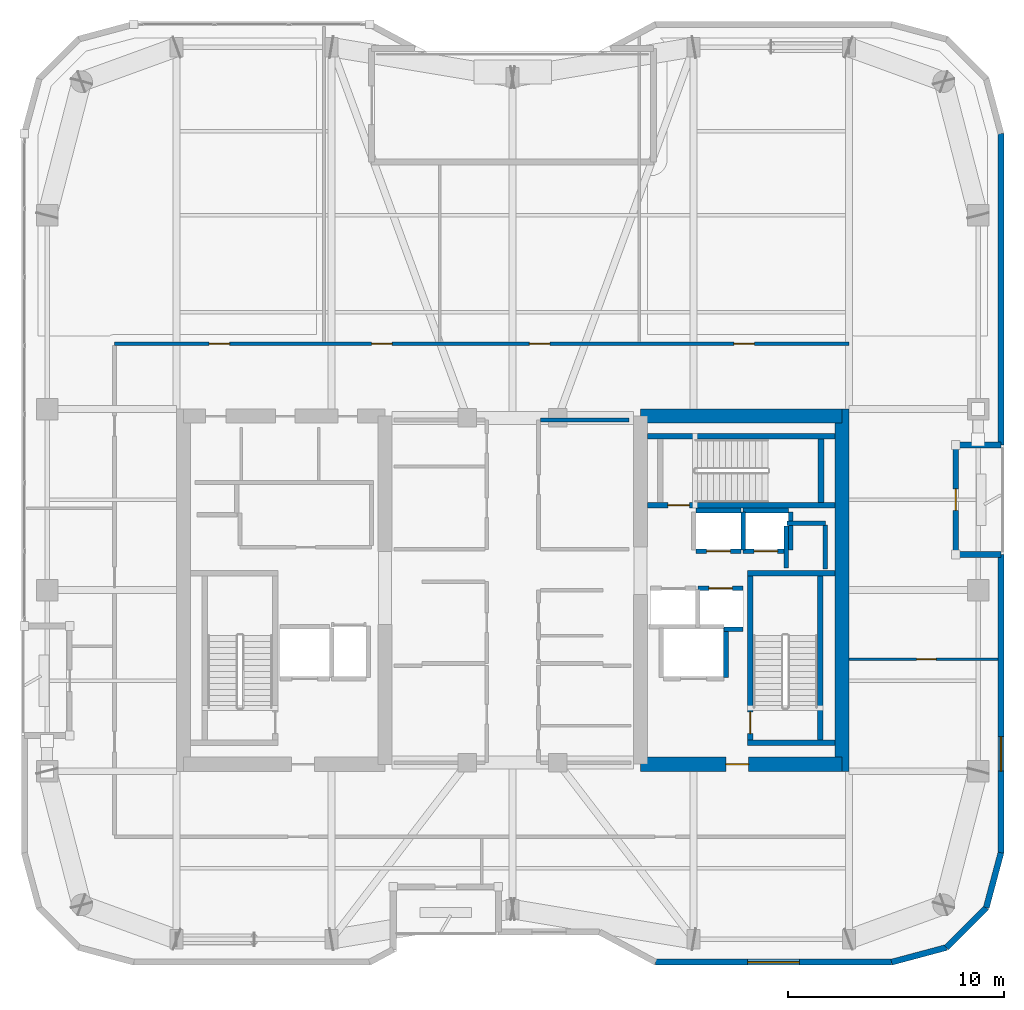
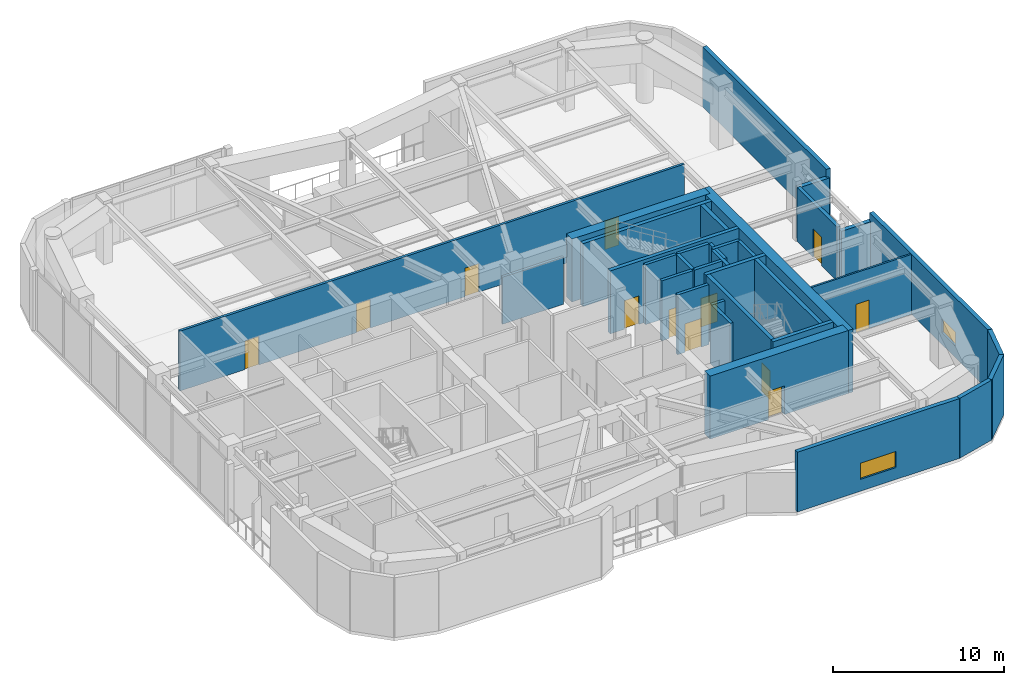
# One storey, part 15 of 19: 34 walls, 12 doors, 2 windows, 14 openings.
"""IFC4 building model written with IfcOpenShell, lengths in metres."""

from ifc_helpers import new_model, si_unit, direction, frame, frame_2d, origin, place, context, subcontext, project, spatial, rectangle, extrude, material, layer, layer_set, type_object, element, fill, save


model = new_model("IFC4")

# Units and contexts
model_context = context("Model", 3, precision=1e-05, world=origin(), true_north=direction((0.0, 1.0)))
body_context = subcontext(model_context, "Body", "Model", "MODEL_VIEW")
ifc_project = project(units=[si_unit("LENGTHUNIT", "METRE"), si_unit("AREAUNIT", "SQUARE_METRE"), si_unit("VOLUMEUNIT", "CUBIC_METRE"), si_unit("PLANEANGLEUNIT", "RADIAN"), si_unit("MASSUNIT", "GRAM", prefix="KILO")], contexts=[model_context])

# Site, building, storey
site_placement = place(None, origin())
site = spatial("IfcSite", under=ifc_project, at=site_placement, CompositionType="ELEMENT")
building_placement = place(site_placement, origin())
building = spatial("IfcBuilding", under=site, at=building_placement, Name="Kiyonajd Concourse Tower", CompositionType="ELEMENT")
storey_placement = place(building_placement, frame((0.0, 0.0, 238.800048828125)))
storey = spatial("IfcBuildingStorey", under=building, at=storey_placement, Name="L60", CompositionType="ELEMENT", Elevation=238.800048828125)

# Wall
ifc_material_1 = material(Name="Concrete C60/75", Category="concrete")
ifc_layer_1 = layer(ifc_material_1, 0.64990234375)
ifc_layer_set_1 = layer_set([ifc_layer_1], Name="Concrete C60/75")
wall_type_1 = type_object("IfcWallType", Name="WL-CORE-650", PredefinedType="SHEAR", material=ifc_layer_set_1)
wall_1_placement = place(storey_placement, frame((63.27490234375, 27.60009765625, 0.0), z_axis=(0.0, 0.0, 1.0), x_axis=(0.0, 1.0, 0.0)))
element("IfcWall", 1, at=wall_1_placement, inside=storey, type_object=wall_type_1, Name="L60 East Core Outer Shear Wall", PredefinedType="SHEAR", context=body_context, shape_type="SweptSolid", body=[
    extrude(rectangle(XDim=16.7998046875, YDim=0.64990234375, at=frame_2d((8.39990234375, 0.0))), origin(), (0.0, 0.0, 1.0), 4.5),
])

# Wall, opening, door
wall_2_placement = place(storey_placement, frame((53.925048828125, 27.925048828125, 0.0), z_axis=(0.0, 0.0, 1.0), x_axis=(1.0, 0.0, 0.0)))
wall_2 = element("IfcWall", 2, at=wall_2_placement, inside=storey, type_object=wall_type_1, Name="L60 East Core South Shear Wall", PredefinedType="SHEAR", context=body_context, shape_type="SweptSolid", body=[
    extrude(rectangle(XDim=9.349853515625, YDim=0.64990234375, at=frame_2d((4.6748046875, 0.0))), origin(), (0.0, 0.0, 1.0), 4.5),
])
opening_1_placement = place(wall_2_placement, frame((3.97509765625, 0.0, 0.0)))
opening_1 = element("IfcOpeningElement", 3, at=opening_1_placement, cuts=wall_2, Name="Opening DF5", PredefinedType="OPENING", context=body_context, shape_type="SweptSolid", body=[
    extrude(rectangle(XDim=1.050048828125, YDim=2.0400390625, at=frame_2d((0.52490234375, 1.02001953125))), frame((0.0, 0.3349609375, 0.0), z_axis=(0.0, -1.0, 0.0), x_axis=(1.0, 0.0, 0.0)), (0.0, 0.0, 1.0), 0.669921875),
])
ifc_material_2 = material(Name="Brushed Stainless Steel Cab Assembly", Category="steel")
door_type_1 = type_object("IfcDoorType", Name="DR-FD45-1050", OperationType="NOTDEFINED", PredefinedType="DOOR", material=ifc_material_2)
door_1_placement = place(opening_1_placement, origin())
door_1 = element("IfcDoor", 4, at=door_1_placement, inside=storey, type_object=door_type_1, Name="L60 Firefighting Lift Lobby E Smoke Door", OperationType="SINGLE_SWING_RIGHT", OverallHeight=2.0400390625, OverallWidth=1.050048828125, PredefinedType="DOOR", context=body_context, shape_type="SweptSolid", body=[
    extrude(rectangle(XDim=1.050048828125, YDim=2.0400390625, at=frame_2d((0.52490234375, 1.02001953125))), frame((0.0, 0.02490234375, 0.0), z_axis=(0.0, -1.0, 0.0), x_axis=(1.0, 0.0, 0.0)), (0.0, 0.0, 1.0), 0.050048828125),
])
fill(opening_1, door_1)

# Walls
wall_3_placement = place(storey_placement, frame((53.925048828125, 44.074951171875, 0.0), z_axis=(0.0, 0.0, 1.0), x_axis=(1.0, 0.0, 0.0)))
element("IfcWall", 5, at=wall_3_placement, inside=storey, type_object=wall_type_1, Name="L60 East Core North Shear Wall", PredefinedType="SHEAR", context=body_context, shape_type="SweptSolid", body=[
    extrude(rectangle(XDim=9.349853515625, YDim=0.64990234375, at=frame_2d((4.6748046875, 0.0))), origin(), (0.0, 0.0, 1.0), 4.5),
])
ifc_material_3 = material(Name="Precast concrete C50/60", Category="concrete")
ifc_layer_2 = layer(ifc_material_3, 0.280029296875)
ifc_layer_set_2 = layer_set([ifc_layer_2], Name="Precast concrete C50/60")
wall_type_2 = type_object("IfcWallType", Name="WL-EXT-280", PredefinedType="SOLIDWALL", material=ifc_layer_set_2)
wall_4_placement = place(storey_placement, frame((70.659912109375, 57.181640625, 0.0), z_axis=(0.0, 0.0, 1.0), x_axis=(0.0, -1.0, 0.0)))
element("IfcWall", 6, at=wall_4_placement, inside=storey, type_object=wall_type_2, Name="L60 Exterior Concrete Frame Wall 21", PredefinedType="SOLIDWALL", context=body_context, shape_type="SweptSolid", body=[
    extrude(rectangle(XDim=14.441650390625, YDim=0.280029296875, at=frame_2d((7.220703125, 0.0))), origin(), (0.0, 0.0, 1.0), 4.280029296875),
])
for number, where, z_axis, x_axis, name in (
    (7, (70.659912109375, 42.739990234375, 0.0), (0.0, 0.0, 1.0), (-1.0, 0.0, 0.0), "L60 Exterior Concrete Frame Wall 22"),
    (8, (68.56005859375, 37.659912109375, 0.0), (0.0, 0.0, 1.0), (1.0, 0.0, 0.0), "L60 Exterior Concrete Frame Wall 24"),
):
    element("IfcWall", number, at=place(storey_placement, frame(where, z_axis=z_axis, x_axis=x_axis)), inside=storey, type_object=wall_type_2, Name=name, PredefinedType="SOLIDWALL", context=body_context, shape_type="SweptSolid", body=[
        extrude(rectangle(XDim=2.099853515625, YDim=0.280029296875, at=frame_2d((1.0498046875, 0.0))), origin(), (0.0, 0.0, 1.0), 3.716064453125),
    ])

# Wall, opening, window
wall_5_placement = place(storey_placement, frame((70.659912109375, 37.659912109375, 0.0), z_axis=(0.0, 0.0, 1.0), x_axis=(0.0, -1.0, 0.0)))
wall_5 = element("IfcWall", 9, at=wall_5_placement, inside=storey, type_object=wall_type_2, Name="L60 Exterior Concrete Frame Wall 25", PredefinedType="SOLIDWALL", context=body_context, shape_type="SweptSolid", body=[
    extrude(rectangle(XDim=13.841552734375, YDim=0.280029296875, at=frame_2d((6.9208984375, 0.0))), origin(), (0.0, 0.0, 1.0), 4.280029296875),
])
opening_2_placement = place(wall_5_placement, frame((8.4560546875, 0.0, 0.85009765625)))
opening_2 = element("IfcOpeningElement", 10, at=opening_2_placement, cuts=wall_5, Name="Opening WN6", PredefinedType="OPENING", context=body_context, shape_type="SweptSolid", body=[
    extrude(rectangle(XDim=1.60009765625, YDim=1.0, at=frame_2d((0.800048828125, 0.5))), frame((0.0, 0.14990234375, 0.0), z_axis=(0.0, -1.0, 0.0), x_axis=(1.0, 0.0, 0.0)), (0.0, 0.0, 1.0), 0.300048828125),
])
ifc_material_4 = material(Name="Double Low-E Insulated Glass", Category="glass")
window_type_1 = type_object("IfcWindowType", Name="WN-VIS-1600x1000", PartitioningType="SINGLE_PANEL", PredefinedType="WINDOW", material=ifc_material_4)
window_1_placement = place(opening_2_placement, origin())
window_1 = element("IfcWindow", 11, at=window_1_placement, inside=storey, type_object=window_type_1, Name="L60 Modular Facade Vision Window 25", OverallHeight=1.0, OverallWidth=1.60009765625, PartitioningType="SINGLE_PANEL", PredefinedType="WINDOW", context=body_context, shape_type="SweptSolid", body=[
    extrude(rectangle(XDim=1.60009765625, YDim=1.0, at=frame_2d((0.800048828125, 0.5))), frame((0.0, 0.030029296875, 0.0), z_axis=(0.0, -1.0, 0.0), x_axis=(1.0, 0.0, 0.0)), (0.0, 0.0, 1.0), 0.06005859375),
])
fill(opening_2, window_1)

# Walls
wall_6_placement = place(storey_placement, frame((70.659912109375, 23.818359375, 0.0), z_axis=(0.0, 0.0, 1.0), x_axis=(-0.2588904131, -0.965906700466, 0.0)))
element("IfcWall", 12, at=wall_6_placement, inside=storey, type_object=wall_type_2, Name="L60 Exterior Concrete Frame Wall 26", PredefinedType="SOLIDWALL", context=body_context, shape_type="SweptSolid", body=[
    extrude(rectangle(XDim=2.6357421875, YDim=0.280029296875, at=frame_2d((1.31787109375, 0.0))), origin(), (0.0, 0.0, 1.0), 4.280029296875),
])
wall_7_placement = place(storey_placement, frame((69.9775390625, 21.2724609375, 0.0), z_axis=(0.0, 0.0, 1.0), x_axis=(-0.707153437963, -0.707060121331, 0.0)))
element("IfcWall", 13, at=wall_7_placement, inside=storey, type_object=wall_type_2, Name="L60 Exterior Concrete Frame Wall 27", PredefinedType="SOLIDWALL", context=body_context, shape_type="SweptSolid", body=[
    extrude(rectangle(XDim=2.6162109375, YDim=0.280029296875, at=frame_2d((1.30810546875, 0.0))), origin(), (0.0, 0.0, 1.0), 4.280029296875),
])
wall_8_placement = place(storey_placement, frame((68.12744140625, 19.422607421875, 0.0), z_axis=(0.0, 0.0, 1.0), x_axis=(-0.965883534663, -0.258976828051, 0.0)))
element("IfcWall", 14, at=wall_8_placement, inside=storey, type_object=wall_type_2, Name="L60 Exterior Concrete Frame Wall 28", PredefinedType="SOLIDWALL", context=body_context, shape_type="SweptSolid", body=[
    extrude(rectangle(XDim=2.6357421875, YDim=0.280029296875, at=frame_2d((1.31787109375, 0.0))), origin(), (0.0, 0.0, 1.0), 4.280029296875),
])

# Wall, opening, window
wall_9_placement = place(storey_placement, frame((65.58154296875, 18.739990234375, 0.0), z_axis=(0.0, 0.0, 1.0), x_axis=(-1.0, 0.0, 0.0)))
wall_9 = element("IfcWall", 15, at=wall_9_placement, inside=storey, type_object=wall_type_2, Name="L60 Exterior Concrete Frame Wall 29", PredefinedType="SOLIDWALL", context=body_context, shape_type="SweptSolid", body=[
    extrude(rectangle(XDim=10.9462890625, YDim=0.280029296875, at=frame_2d((5.47314453125, 0.0))), origin(), (0.0, 0.0, 1.0), 4.280029296875),
])
opening_3_placement = place(wall_9_placement, frame((4.27294921875, 0.0, 0.85009765625)))
opening_3 = element("IfcOpeningElement", 16, at=opening_3_placement, cuts=wall_9, Name="Opening WN4", PredefinedType="OPENING", context=body_context, shape_type="SweptSolid", body=[
    extrude(rectangle(XDim=2.39990234375, YDim=1.14990234375, at=frame_2d((1.199951171875, 0.574951171875))), frame((0.0, 0.14990234375, 0.0), z_axis=(0.0, -1.0, 0.0), x_axis=(1.0, 0.0, 0.0)), (0.0, 0.0, 1.0), 0.300048828125),
])
window_type_2 = type_object("IfcWindowType", Name="WN-VIS-2400x1150", PartitioningType="SINGLE_PANEL", PredefinedType="WINDOW", material=ifc_material_4)
window_2_placement = place(opening_3_placement, origin())
window_2 = element("IfcWindow", 17, at=window_2_placement, inside=storey, type_object=window_type_2, Name="L60 Modular Facade Vision Window 29", OverallHeight=1.14990234375, OverallWidth=2.39990234375, PartitioningType="SINGLE_PANEL", PredefinedType="WINDOW", context=body_context, shape_type="SweptSolid", body=[
    extrude(rectangle(XDim=2.39990234375, YDim=1.14990234375, at=frame_2d((1.199951171875, 0.574951171875))), frame((0.0, 0.030029296875, 0.0), z_axis=(0.0, -1.0, 0.0), x_axis=(1.0, 0.0, 0.0)), (0.0, 0.0, 1.0), 0.06005859375),
])
fill(opening_3, window_2)

# Wall, opening, door
ifc_layer_3 = layer(ifc_material_3, 0.239990234375)
ifc_layer_set_3 = layer_set([ifc_layer_3], Name="Precast concrete C50/60")
wall_type_3 = type_object("IfcWallType", Name="WL-LOG-240", PredefinedType="SOLIDWALL", material=ifc_layer_set_3)
wall_10_placement = place(storey_placement, frame((68.56005859375, 42.544921875, 0.0), z_axis=(0.0, 0.0, 1.0), x_axis=(0.0, -1.0, 0.0)))
wall_10 = element("IfcWall", 18, at=wall_10_placement, inside=storey, type_object=wall_type_3, Name="L60 Recessed Loggia Thermal Wall LOG-E", PredefinedType="SOLIDWALL", context=body_context, shape_type="SweptSolid", body=[
    extrude(rectangle(XDim=4.68994140625, YDim=0.239990234375, at=frame_2d((2.344970703125, 0.0))), origin(), (0.0, 0.0, 1.0), 3.847900390625),
])
opening_4_placement = place(wall_10_placement, frame((1.844970703125, 0.0, 0.0)))
opening_4 = element("IfcOpeningElement", 19, at=opening_4_placement, cuts=wall_10, Name="Opening DL1", PredefinedType="OPENING", context=body_context, shape_type="SweptSolid", body=[
    extrude(rectangle(XDim=1.0, YDim=2.02001953125, at=frame_2d((0.5, 1.010009765625))), frame((0.0, 0.1298828125, 0.0), z_axis=(0.0, -1.0, 0.0), x_axis=(1.0, 0.0, 0.0)), (0.0, 0.0, 1.0), 0.260009765625),
])
ifc_material_5 = material(Name="Thermally Broken Anodised Aluminium", Category="aluminium")
door_type_2 = type_object("IfcDoorType", Name="DR-LOG-1000", OperationType="NOTDEFINED", PredefinedType="DOOR", material=ifc_material_5)
door_2_placement = place(opening_4_placement, origin())
door_2 = element("IfcDoor", 20, at=door_2_placement, inside=storey, type_object=door_type_2, Name="L60 Engawa Loggia Access Door LOG-E", OperationType="SINGLE_SWING_RIGHT", OverallHeight=2.02001953125, OverallWidth=1.0, PredefinedType="DOOR", context=body_context, shape_type="SweptSolid", body=[
    extrude(rectangle(XDim=1.0, YDim=2.02001953125, at=frame_2d((0.5, 1.010009765625))), frame((0.0, 0.02490234375, 0.0), z_axis=(0.0, -1.0, 0.0), x_axis=(1.0, 0.0, 0.0)), (0.0, 0.0, 1.0), 0.050048828125),
])
fill(opening_4, door_2)

ifc_material_6 = material(Name="Gypsum Board on Cold-Formed Steel Stud", Category="steel")
ifc_layer_4 = layer(ifc_material_6, 0.125)
ifc_layer_set_4 = layer_set([ifc_layer_4], Name="Gypsum Board on Cold-Formed Steel Stud")
wall_type_4 = type_object("IfcWallType", Name="WL-PART-125", PredefinedType="PARTITIONING", material=ifc_layer_set_4)
wall_11_placement = place(storey_placement, frame((63.60009765625, 32.800048828125, 0.0), z_axis=(0.0, 0.0, 1.0), x_axis=(1.0, 0.0, 0.0)))
wall_11 = element("IfcWall", 21, at=wall_11_placement, inside=storey, type_object=wall_type_4, Name="L60 Interior Partition Wall", PredefinedType="PARTITIONING", context=body_context, shape_type="SweptSolid", body=[
    extrude(rectangle(XDim=6.9248046875, YDim=0.125, at=frame_2d((3.46240234375, 0.0))), origin(), (0.0, 0.0, 1.0), 4.280029296875),
])
opening_5_placement = place(wall_11_placement, frame((3.14990234375, 0.0, 0.0)))
opening_5 = element("IfcOpeningElement", 22, at=opening_5_placement, cuts=wall_11, Name="Opening DI2", PredefinedType="OPENING", context=body_context, shape_type="SweptSolid", body=[
    extrude(rectangle(XDim=0.89990234375, YDim=2.02001953125, at=frame_2d((0.449951171875, 1.010009765625))), frame((0.0, 0.072509765625, 0.0), z_axis=(0.0, -1.0, 0.0), x_axis=(1.0, 0.0, 0.0)), (0.0, 0.0, 1.0), 0.14501953125),
])
ifc_material_7 = material(Name="Natural Oak Acoustic Timber Veneer", Category="wood")
door_type_3 = type_object("IfcDoorType", Name="DR-INT-900", OperationType="NOTDEFINED", PredefinedType="DOOR", material=ifc_material_7)
door_3_placement = place(opening_5_placement, origin())
door_3 = element("IfcDoor", 23, at=door_3_placement, inside=storey, type_object=door_type_3, Name="L60 Interior Door", OperationType="SINGLE_SWING_LEFT", OverallHeight=2.02001953125, OverallWidth=0.89990234375, PredefinedType="DOOR", context=body_context, shape_type="SweptSolid", body=[
    extrude(rectangle(XDim=0.89990234375, YDim=2.02001953125, at=frame_2d((0.449951171875, 1.010009765625))), frame((0.0, 0.02490234375, 0.0), z_axis=(0.0, -1.0, 0.0), x_axis=(1.0, 0.0, 0.0)), (0.0, 0.0, 1.0), 0.050048828125),
])
fill(opening_5, door_3)

# Walls
ifc_layer_5 = layer(ifc_material_6, 0.2099609375)
ifc_layer_set_5 = layer_set([ifc_layer_5], Name="Gypsum Board on Cold-Formed Steel Stud")
wall_type_5 = type_object("IfcWallType", Name="WL-SHAFT-210", PredefinedType="PARTITIONING", material=ifc_layer_set_5)
wall_12_placement = place(storey_placement, frame((60.719970703125, 39.10009765625, 0.0), z_axis=(0.0, 0.0, 1.0), x_axis=(1.0, 0.0, 0.0)))
element("IfcWall", 24, at=wall_12_placement, inside=storey, type_object=wall_type_5, Name="L60 Shaft Enclosure Wall", PredefinedType="PARTITIONING", context=body_context, shape_type="SweptSolid", body=[
    extrude(rectangle(XDim=1.800048828125, YDim=0.2099609375, at=frame_2d((0.89990234375, 0.0))), origin(), (0.0, 0.0, 1.0), 4.280029296875),
])
wall_13_placement = place(storey_placement, frame((60.699951171875, 37.02001953125, 0.0), z_axis=(0.0, 0.0, 1.0), x_axis=(0.0, 1.0, 0.0)))
element("IfcWall", 25, at=wall_13_placement, inside=storey, type_object=wall_type_5, Name="L60 Shaft Enclosure Wall", PredefinedType="PARTITIONING", context=body_context, shape_type="SweptSolid", body=[
    extrude(rectangle(XDim=1.9599609375, YDim=0.2099609375, at=frame_2d((0.97998046875, 0.0))), origin(), (0.0, 0.0, 1.0), 4.280029296875),
])
wall_14_placement = place(storey_placement, frame((62.5, 36.97998046875, 0.0), z_axis=(0.0, 0.0, 1.0), x_axis=(0.0, 1.0, 0.0)))
element("IfcWall", 26, at=wall_14_placement, inside=storey, type_object=wall_type_5, Name="L60 Shaft Enclosure Wall", PredefinedType="PARTITIONING", context=body_context, shape_type="SweptSolid", body=[
    extrude(rectangle(XDim=2.0400390625, YDim=0.2099609375, at=frame_2d((1.02001953125, 0.0))), origin(), (0.0, 0.0, 1.0), 4.280029296875),
])
wall_15_placement = place(storey_placement, frame((57.89990234375, 31.9599609375, 0.0), z_axis=(0.0, 0.0, 1.0), x_axis=(0.0, 1.0, 0.0)))
element("IfcWall", 27, at=wall_15_placement, inside=storey, type_object=wall_type_5, Name="L60 Shaft Enclosure Wall", PredefinedType="PARTITIONING", context=body_context, shape_type="SweptSolid", body=[
    extrude(rectangle(XDim=2.280029296875, YDim=0.2099609375, at=frame_2d((1.14013671875, 0.0))), origin(), (0.0, 0.0, 1.0), 4.280029296875),
])

# Wall, opening, door
wall_16_placement = place(storey_placement, frame((56.60009765625, 36.10009765625, 0.0), z_axis=(0.0, 0.0, 1.0), x_axis=(1.0, 0.0, 0.0)))
wall_16 = element("IfcWall", 28, at=wall_16_placement, inside=storey, type_object=wall_type_5, Name="L60 Shaft Enclosure Wall", PredefinedType="PARTITIONING", context=body_context, shape_type="SweptSolid", body=[
    extrude(rectangle(XDim=2.099853515625, YDim=0.2099609375, at=frame_2d((1.0498046875, 0.0))), origin(), (0.0, 0.0, 1.0), 4.280029296875),
])
opening_6_placement = place(wall_16_placement, frame((0.5, 0.0, 0.0)))
opening_6 = element("IfcOpeningElement", 29, at=opening_6_placement, cuts=wall_16, Name="Opening LD1", PredefinedType="OPENING", context=body_context, shape_type="SweptSolid", body=[
    extrude(rectangle(XDim=1.10009765625, YDim=2.0400390625, at=frame_2d((0.550048828125, 1.02001953125))), frame((0.0, 0.114990234375, 0.0), z_axis=(0.0, -1.0, 0.0), x_axis=(1.0, 0.0, 0.0)), (0.0, 0.0, 1.0), 0.22998046875),
])
door_type_4 = type_object("IfcDoorType", Name="DR-LD-1100", OperationType="DOUBLE_DOOR_SLIDING", PredefinedType="DOOR", material=ifc_material_2)
door_4_placement = place(opening_6_placement, origin())
door_4 = element("IfcDoor", 30, at=door_4_placement, inside=storey, type_object=door_type_4, Name="L60 Lift PL-H2 Sliding Landing Door", OperationType="DOUBLE_DOOR_SLIDING", OverallHeight=2.0400390625, OverallWidth=1.10009765625, PredefinedType="DOOR", context=body_context, shape_type="SweptSolid", body=[
    extrude(rectangle(XDim=1.10009765625, YDim=2.0400390625, at=frame_2d((0.550048828125, 1.02001953125))), frame((0.0, 0.02490234375, 0.0), z_axis=(0.0, -1.0, 0.0), x_axis=(1.0, 0.0, 0.0)), (0.0, 0.0, 1.0), 0.050048828125),
])
fill(opening_6, door_4)

# Wall
wall_17_placement = place(storey_placement, frame((57.800048828125, 34.199951171875, 0.0), z_axis=(0.0, 0.0, 1.0), x_axis=(1.0, 0.0, 0.0)))
element("IfcWall", 31, at=wall_17_placement, inside=storey, type_object=wall_type_5, Name="L60 Shaft Enclosure Wall", PredefinedType="PARTITIONING", context=body_context, shape_type="SweptSolid", body=[
    extrude(rectangle(XDim=0.89990234375, YDim=0.2099609375, at=frame_2d((0.449951171875, 0.0))), origin(), (0.0, 0.0, 1.0), 4.280029296875),
])

# Wall, opening, door
wall_18_placement = place(storey_placement, frame((56.5, 37.800048828125, 0.0), z_axis=(0.0, 0.0, 1.0), x_axis=(1.0, 0.0, 0.0)))
wall_18 = element("IfcWall", 32, at=wall_18_placement, inside=storey, type_object=wall_type_5, Name="L60 Shaft Enclosure Wall", PredefinedType="PARTITIONING", context=body_context, shape_type="SweptSolid", body=[
    extrude(rectangle(XDim=2.10009765625, YDim=0.2099609375, at=frame_2d((1.050048828125, 0.0))), origin(), (0.0, 0.0, 1.0), 4.280029296875),
])
opening_7_placement = place(wall_18_placement, frame((0.5, 0.0, 0.0)))
opening_7 = element("IfcOpeningElement", 33, at=opening_7_placement, cuts=wall_18, Name="Opening LD1", PredefinedType="OPENING", context=body_context, shape_type="SweptSolid", body=[
    extrude(rectangle(XDim=1.10009765625, YDim=2.0400390625, at=frame_2d((0.550048828125, 1.02001953125))), frame((0.0, 0.114990234375, 0.0), z_axis=(0.0, -1.0, 0.0), x_axis=(1.0, 0.0, 0.0)), (0.0, 0.0, 1.0), 0.22998046875),
])
door_5_placement = place(opening_7_placement, origin())
door_5 = element("IfcDoor", 34, at=door_5_placement, inside=storey, type_object=door_type_4, Name="L60 Lift PL-H3 Sliding Landing Door", OperationType="DOUBLE_DOOR_SLIDING", OverallHeight=2.0400390625, OverallWidth=1.10009765625, PredefinedType="DOOR", context=body_context, shape_type="SweptSolid", body=[
    extrude(rectangle(XDim=1.10009765625, YDim=2.0400390625, at=frame_2d((0.550048828125, 1.02001953125))), frame((0.0, 0.02490234375, 0.0), z_axis=(0.0, -1.0, 0.0), x_axis=(1.0, 0.0, 0.0)), (0.0, 0.0, 1.0), 0.050048828125),
])
fill(opening_7, door_5)

# Walls
wall_19_placement = place(storey_placement, frame((56.5, 39.699951171875, 0.0), z_axis=(0.0, 0.0, 1.0), x_axis=(1.0, 0.0, 0.0)))
element("IfcWall", 35, at=wall_19_placement, inside=storey, type_object=wall_type_5, Name="L60 Shaft Enclosure Wall", PredefinedType="PARTITIONING", context=body_context, shape_type="SweptSolid", body=[
    extrude(rectangle(XDim=2.10009765625, YDim=0.2099609375, at=frame_2d((1.050048828125, 0.0))), origin(), (0.0, 0.0, 1.0), 4.280029296875),
])
wall_20_placement = place(storey_placement, frame((58.699951171875, 37.860107421875, 0.0), z_axis=(0.0, 0.0, 1.0), x_axis=(0.0, 1.0, 0.0)))
element("IfcWall", 36, at=wall_20_placement, inside=storey, type_object=wall_type_5, Name="L60 Shaft Enclosure Wall", PredefinedType="PARTITIONING", context=body_context, shape_type="SweptSolid", body=[
    extrude(rectangle(XDim=1.77978515625, YDim=0.2099609375, at=frame_2d((0.889892578125, 0.0))), origin(), (0.0, 0.0, 1.0), 4.280029296875),
])

# Wall, opening, door
wall_21_placement = place(storey_placement, frame((58.699951171875, 37.800048828125, 0.0), z_axis=(0.0, 0.0, 1.0), x_axis=(1.0, 0.0, 0.0)))
wall_21 = element("IfcWall", 37, at=wall_21_placement, inside=storey, type_object=wall_type_5, Name="L60 Shaft Enclosure Wall", PredefinedType="PARTITIONING", context=body_context, shape_type="SweptSolid", body=[
    extrude(rectangle(XDim=2.10009765625, YDim=0.2099609375, at=frame_2d((1.050048828125, 0.0))), origin(), (0.0, 0.0, 1.0), 4.280029296875),
])
opening_8_placement = place(wall_21_placement, frame((0.5, 0.0, 0.0)))
opening_8 = element("IfcOpeningElement", 38, at=opening_8_placement, cuts=wall_21, Name="Opening LD1", PredefinedType="OPENING", context=body_context, shape_type="SweptSolid", body=[
    extrude(rectangle(XDim=1.10009765625, YDim=2.0400390625, at=frame_2d((0.550048828125, 1.02001953125))), frame((0.0, 0.114990234375, 0.0), z_axis=(0.0, -1.0, 0.0), x_axis=(1.0, 0.0, 0.0)), (0.0, 0.0, 1.0), 0.22998046875),
])
door_6_placement = place(opening_8_placement, origin())
door_6 = element("IfcDoor", 39, at=door_6_placement, inside=storey, type_object=door_type_4, Name="L60 Lift PL-H4 Sliding Landing Door", OperationType="DOUBLE_DOOR_SLIDING", OverallHeight=2.0400390625, OverallWidth=1.10009765625, PredefinedType="DOOR", context=body_context, shape_type="SweptSolid", body=[
    extrude(rectangle(XDim=1.10009765625, YDim=2.0400390625, at=frame_2d((0.550048828125, 1.02001953125))), frame((0.0, 0.02490234375, 0.0), z_axis=(0.0, -1.0, 0.0), x_axis=(1.0, 0.0, 0.0)), (0.0, 0.0, 1.0), 0.050048828125),
])
fill(opening_8, door_6)

# Walls
wall_22_placement = place(storey_placement, frame((58.699951171875, 39.699951171875, 0.0), z_axis=(0.0, 0.0, 1.0), x_axis=(1.0, 0.0, 0.0)))
element("IfcWall", 40, at=wall_22_placement, inside=storey, type_object=wall_type_5, Name="L60 Shaft Enclosure Wall", PredefinedType="PARTITIONING", context=body_context, shape_type="SweptSolid", body=[
    extrude(rectangle(XDim=2.10009765625, YDim=0.2099609375, at=frame_2d((1.050048828125, 0.0))), origin(), (0.0, 0.0, 1.0), 4.280029296875),
])
wall_23_placement = place(storey_placement, frame((60.89990234375, 37.860107421875, 0.0), z_axis=(0.0, 0.0, 1.0), x_axis=(0.0, 1.0, 0.0)))
element("IfcWall", 41, at=wall_23_placement, inside=storey, type_object=wall_type_5, Name="L60 Shaft Enclosure Wall", PredefinedType="PARTITIONING", context=body_context, shape_type="SweptSolid", body=[
    extrude(rectangle(XDim=1.77978515625, YDim=0.2099609375, at=frame_2d((0.889892578125, 0.0))), origin(), (0.0, 0.0, 1.0), 4.280029296875),
])
ifc_layer_6 = layer(ifc_material_6, 0.169921875)
ifc_layer_set_6 = layer_set([ifc_layer_6], Name="Gypsum Board on Cold-Formed Steel Stud")
wall_type_6 = type_object("IfcWallType", Name="WL-SMK-170", PredefinedType="PARTITIONING", material=ifc_layer_set_6)
wall_24_placement = place(storey_placement, frame((49.287109375, 43.89990234375, 0.0), z_axis=(0.0, 0.0, 1.0), x_axis=(1.0, 0.0, 0.0)))
element("IfcWall", 42, at=wall_24_placement, inside=storey, type_object=wall_type_6, Name="L60 Interior Partition Wall", PredefinedType="PARTITIONING", context=body_context, shape_type="SweptSolid", body=[
    extrude(rectangle(XDim=4.11279296875, YDim=0.169921875, at=frame_2d((2.056396484375, 0.0))), origin(), (0.0, 0.0, 1.0), 3.364990234375),
])

# Wall, openings, doors
wall_25_placement = place(storey_placement, frame((29.52490234375, 47.43994140625, 0.0), z_axis=(0.0, 0.0, 1.0), x_axis=(1.0, 0.0, 0.0)))
wall_25 = element("IfcWall", 43, at=wall_25_placement, inside=storey, type_object=wall_type_6, Name="L60 Interior Partition Wall", PredefinedType="PARTITIONING", context=body_context, shape_type="SweptSolid", body=[
    extrude(rectangle(XDim=34.0751953125, YDim=0.169921875, at=frame_2d((17.03759765625, 0.0))), origin(), (0.0, 0.0, 1.0), 4.280029296875),
])
opening_9_placement = place(wall_25_placement, frame((4.387939453125, 0.0, 0.0)))
opening_9 = element("IfcOpeningElement", 44, at=opening_9_placement, cuts=wall_25, Name="Opening DI1", PredefinedType="OPENING", context=body_context, shape_type="SweptSolid", body=[
    extrude(rectangle(XDim=0.949951171875, YDim=2.0400390625, at=frame_2d((0.47509765625, 1.02001953125))), frame((0.0, 0.094970703125, 0.0), z_axis=(0.0, -1.0, 0.0), x_axis=(1.0, 0.0, 0.0)), (0.0, 0.0, 1.0), 0.18994140625),
])
opening_10_placement = place(wall_25_placement, frame((11.93505859375, 0.0, 0.0)))
opening_10 = element("IfcOpeningElement", 45, at=opening_10_placement, cuts=wall_25, Name="Opening DI1", PredefinedType="OPENING", context=body_context, shape_type="SweptSolid", body=[
    extrude(rectangle(XDim=0.949951171875, YDim=2.0400390625, at=frame_2d((0.47509765625, 1.02001953125))), frame((0.0, 0.094970703125, 0.0), z_axis=(0.0, -1.0, 0.0), x_axis=(1.0, 0.0, 0.0)), (0.0, 0.0, 1.0), 0.18994140625),
])
opening_11_placement = place(wall_25_placement, frame((19.25, 0.0, 0.0)))
opening_11 = element("IfcOpeningElement", 46, at=opening_11_placement, cuts=wall_25, Name="Opening DI1", PredefinedType="OPENING", context=body_context, shape_type="SweptSolid", body=[
    extrude(rectangle(XDim=0.949951171875, YDim=2.0400390625, at=frame_2d((0.47509765625, 1.02001953125))), frame((0.0, 0.094970703125, 0.0), z_axis=(0.0, -1.0, 0.0), x_axis=(1.0, 0.0, 0.0)), (0.0, 0.0, 1.0), 0.18994140625),
])
opening_12_placement = place(wall_25_placement, frame((28.739990234375, 0.0, 0.0)))
opening_12 = element("IfcOpeningElement", 47, at=opening_12_placement, cuts=wall_25, Name="Opening DI1", PredefinedType="OPENING", context=body_context, shape_type="SweptSolid", body=[
    extrude(rectangle(XDim=0.949951171875, YDim=2.0400390625, at=frame_2d((0.47509765625, 1.02001953125))), frame((0.0, 0.094970703125, 0.0), z_axis=(0.0, -1.0, 0.0), x_axis=(1.0, 0.0, 0.0)), (0.0, 0.0, 1.0), 0.18994140625),
])
door_type_5 = type_object("IfcDoorType", Name="DR-INT-950", OperationType="NOTDEFINED", PredefinedType="DOOR", material=ifc_material_7)
door_7_placement = place(opening_9_placement, origin())
door_7 = element("IfcDoor", 48, at=door_7_placement, inside=storey, type_object=door_type_5, Name="L60 Interior Door", OperationType="SINGLE_SWING_RIGHT", OverallHeight=2.0400390625, OverallWidth=0.949951171875, PredefinedType="DOOR", context=body_context, shape_type="SweptSolid", body=[
    extrude(rectangle(XDim=0.949951171875, YDim=2.0400390625, at=frame_2d((0.47509765625, 1.02001953125))), frame((0.0, 0.02490234375, 0.0), z_axis=(0.0, -1.0, 0.0), x_axis=(1.0, 0.0, 0.0)), (0.0, 0.0, 1.0), 0.050048828125),
])
fill(opening_9, door_7)
door_8_placement = place(opening_10_placement, origin())
door_8 = element("IfcDoor", 49, at=door_8_placement, inside=storey, type_object=door_type_5, Name="L60 Interior Door", OperationType="SINGLE_SWING_LEFT", OverallHeight=2.0400390625, OverallWidth=0.949951171875, PredefinedType="DOOR", context=body_context, shape_type="SweptSolid", body=[
    extrude(rectangle(XDim=0.949951171875, YDim=2.0400390625, at=frame_2d((0.47509765625, 1.02001953125))), frame((0.0, 0.02490234375, 0.0), z_axis=(0.0, -1.0, 0.0), x_axis=(1.0, 0.0, 0.0)), (0.0, 0.0, 1.0), 0.050048828125),
])
fill(opening_10, door_8)
door_9_placement = place(opening_11_placement, origin())
door_9 = element("IfcDoor", 50, at=door_9_placement, inside=storey, type_object=door_type_5, Name="L60 Interior Door", OperationType="SINGLE_SWING_RIGHT", OverallHeight=2.0400390625, OverallWidth=0.949951171875, PredefinedType="DOOR", context=body_context, shape_type="SweptSolid", body=[
    extrude(rectangle(XDim=0.949951171875, YDim=2.0400390625, at=frame_2d((0.47509765625, 1.02001953125))), frame((0.0, 0.02490234375, 0.0), z_axis=(0.0, -1.0, 0.0), x_axis=(1.0, 0.0, 0.0)), (0.0, 0.0, 1.0), 0.050048828125),
])
fill(opening_11, door_9)
door_10_placement = place(opening_12_placement, origin())
door_10 = element("IfcDoor", 51, at=door_10_placement, inside=storey, type_object=door_type_5, Name="L60 Interior Door", OperationType="SINGLE_SWING_LEFT", OverallHeight=2.0400390625, OverallWidth=0.949951171875, PredefinedType="DOOR", context=body_context, shape_type="SweptSolid", body=[
    extrude(rectangle(XDim=0.949951171875, YDim=2.0400390625, at=frame_2d((0.47509765625, 1.02001953125))), frame((0.0, 0.02490234375, 0.0), z_axis=(0.0, -1.0, 0.0), x_axis=(1.0, 0.0, 0.0)), (0.0, 0.0, 1.0), 0.050048828125),
])
fill(opening_12, door_10)

# Walls
ifc_material_8 = material(Name="Concrete C50/60", Category="concrete")
ifc_layer_7 = layer(ifc_material_8, 0.260009765625)
ifc_layer_set_7 = layer_set([ifc_layer_7], Name="Concrete C50/60")
wall_type_7 = type_object("IfcWallType", Name="WL-STAIR-260", PredefinedType="SHEAR", material=ifc_layer_set_7)
for number, where, z_axis, x_axis, name in (
    (52, (58.889892578125, 28.919921875, 0.0), (0.0, 0.0, 1.0), (1.0, 0.0, 0.0), "L60 Stair ST2 Structural South Wall"),
    (53, (58.889892578125, 36.780029296875, 0.0), (0.0, 0.0, 1.0), (1.0, 0.0, 0.0), "L60 Stair ST2 Structural North Wall"),
):
    element("IfcWall", number, at=place(storey_placement, frame(where, z_axis=z_axis, x_axis=x_axis)), inside=storey, type_object=wall_type_7, Name=name, PredefinedType="SHEAR", context=body_context, shape_type="SweptSolid", body=[
        extrude(rectangle(XDim=4.06005859375, YDim=0.260009765625, at=frame_2d((2.030029296875, 0.0))), origin(), (0.0, 0.0, 1.0), 4.5),
    ])

# Wall, opening, door
wall_26_placement = place(storey_placement, frame((59.02001953125, 29.050048828125, 0.0), z_axis=(0.0, 0.0, 1.0), x_axis=(0.0, 1.0, 0.0)))
wall_26 = element("IfcWall", 54, at=wall_26_placement, inside=storey, type_object=wall_type_7, Name="L60 Stair ST2 Structural West Wall", PredefinedType="SHEAR", context=body_context, shape_type="SweptSolid", body=[
    extrude(rectangle(XDim=7.599853515625, YDim=0.260009765625, at=frame_2d((3.7998046875, 0.0))), origin(), (0.0, 0.0, 1.0), 4.5),
])
opening_13_placement = place(wall_26_placement, frame((0.300048828125, 0.0, 0.0)))
opening_13 = element("IfcOpeningElement", 55, at=opening_13_placement, cuts=wall_26, Name="Opening DF1", PredefinedType="OPENING", context=body_context, shape_type="SweptSolid", body=[
    extrude(rectangle(XDim=1.0, YDim=2.0400390625, at=frame_2d((0.5, 1.02001953125))), frame((0.0, 0.139892578125, 0.0), z_axis=(0.0, -1.0, 0.0), x_axis=(1.0, 0.0, 0.0)), (0.0, 0.0, 1.0), 0.280029296875),
])
door_type_6 = type_object("IfcDoorType", Name="DR-FD90-1000", OperationType="NOTDEFINED", PredefinedType="DOOR", material=ifc_material_2)
door_11_placement = place(opening_13_placement, origin())
door_11 = element("IfcDoor", 56, at=door_11_placement, inside=storey, type_object=door_type_6, Name="L60 Stair ST2 FSAE Door", OperationType="SINGLE_SWING_RIGHT", OverallHeight=2.0400390625, OverallWidth=1.0, PredefinedType="DOOR", context=body_context, shape_type="SweptSolid", body=[
    extrude(rectangle(XDim=1.0, YDim=2.0400390625, at=frame_2d((0.5, 1.02001953125))), frame((0.0, 0.02490234375, 0.0), z_axis=(0.0, -1.0, 0.0), x_axis=(1.0, 0.0, 0.0)), (0.0, 0.0, 1.0), 0.050048828125),
])
fill(opening_13, door_11)

# Wall
wall_27_placement = place(storey_placement, frame((62.280029296875, 29.050048828125, 0.0), z_axis=(0.0, 0.0, 1.0), x_axis=(0.0, 1.0, 0.0)))
element("IfcWall", 57, at=wall_27_placement, inside=storey, type_object=wall_type_7, Name="L60 Stair ST2 Structural East Wall", PredefinedType="SHEAR", context=body_context, shape_type="SweptSolid", body=[
    extrude(rectangle(XDim=7.599853515625, YDim=0.260009765625, at=frame_2d((3.7998046875, 0.0))), origin(), (0.0, 0.0, 1.0), 4.5),
])

# Wall, opening, door
wall_28_placement = place(storey_placement, frame((54.25, 39.949951171875, 0.0), z_axis=(0.0, 0.0, 1.0), x_axis=(1.0, 0.0, 0.0)))
wall_28 = element("IfcWall", 58, at=wall_28_placement, inside=storey, type_object=wall_type_7, Name="L60 Stair ST3 Structural South Wall", PredefinedType="SHEAR", context=body_context, shape_type="SweptSolid", body=[
    extrude(rectangle(XDim=8.699951171875, YDim=0.260009765625, at=frame_2d((4.35009765625, 0.0))), origin(), (0.0, 0.0, 1.0), 4.5),
])
opening_14_placement = place(wall_28_placement, frame((0.949951171875, 0.0, 0.0)))
opening_14 = element("IfcOpeningElement", 59, at=opening_14_placement, cuts=wall_28, Name="Opening DF1", PredefinedType="OPENING", context=body_context, shape_type="SweptSolid", body=[
    extrude(rectangle(XDim=1.0, YDim=2.0400390625, at=frame_2d((0.5, 1.02001953125))), frame((0.0, 0.139892578125, 0.0), z_axis=(0.0, -1.0, 0.0), x_axis=(1.0, 0.0, 0.0)), (0.0, 0.0, 1.0), 0.280029296875),
])
door_12_placement = place(opening_14_placement, origin())
door_12 = element("IfcDoor", 60, at=door_12_placement, inside=storey, type_object=door_type_6, Name="L60 Stair ST3 Enclosure Door", OperationType="SINGLE_SWING_LEFT", OverallHeight=2.0400390625, OverallWidth=1.0, PredefinedType="DOOR", context=body_context, shape_type="SweptSolid", body=[
    extrude(rectangle(XDim=1.0, YDim=2.0400390625, at=frame_2d((0.5, 1.02001953125))), frame((0.0, 0.02490234375, 0.0), z_axis=(0.0, -1.0, 0.0), x_axis=(1.0, 0.0, 0.0)), (0.0, 0.0, 1.0), 0.050048828125),
])
fill(opening_14, door_12)

# Walls
wall_29_placement = place(storey_placement, frame((54.25, 43.14990234375, 0.0), z_axis=(0.0, 0.0, 1.0), x_axis=(1.0, 0.0, 0.0)))
element("IfcWall", 61, at=wall_29_placement, inside=storey, type_object=wall_type_7, Name="L60 Stair ST3 Structural North Wall", PredefinedType="SHEAR", context=body_context, shape_type="SweptSolid", body=[
    extrude(rectangle(XDim=8.699951171875, YDim=0.260009765625, at=frame_2d((4.35009765625, 0.0))), origin(), (0.0, 0.0, 1.0), 4.5),
])
wall_30_placement = place(storey_placement, frame((62.31005859375, 40.080078125, 0.0), z_axis=(0.0, 0.0, 1.0), x_axis=(0.0, 1.0, 0.0)))
element("IfcWall", 62, at=wall_30_placement, inside=storey, type_object=wall_type_7, Name="L60 Stair ST3 Structural East Wall", PredefinedType="SHEAR", context=body_context, shape_type="SweptSolid", body=[
    extrude(rectangle(XDim=2.93994140625, YDim=0.260009765625, at=frame_2d((1.469970703125, 0.0))), origin(), (0.0, 0.0, 1.0), 4.5),
])

save(model, "model.ifc")
